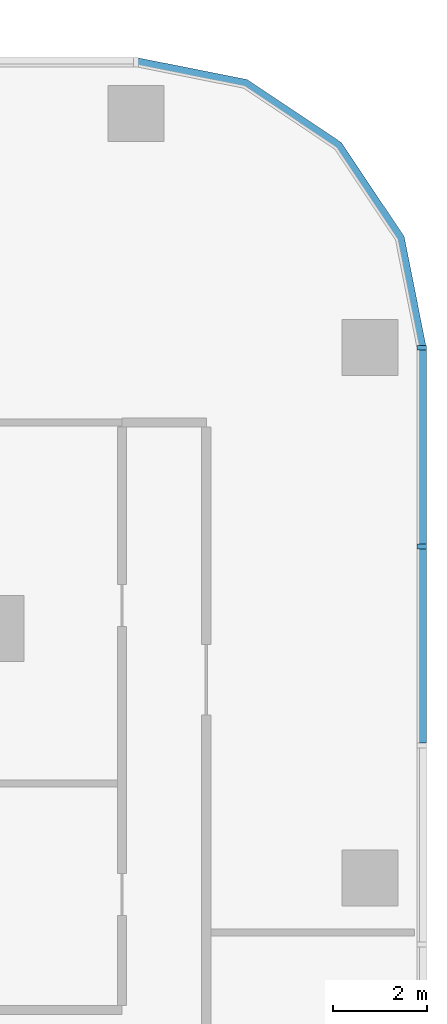
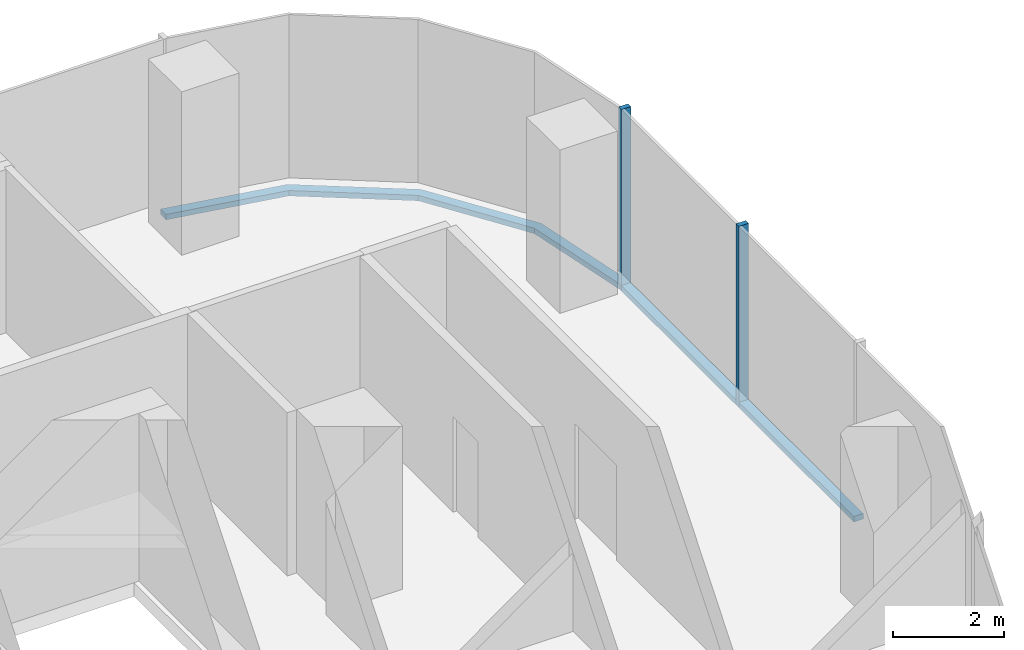
# One storey, part 5 of 14: 5 members, 2 elements without a shape of their own.
"""IFC4 building model written with IfcOpenShell, lengths in metres."""

from ifc_helpers import new_model, si_unit, direction, frame, origin, origin_2d, place, context, subcontext, project, spatial, polyline, rectangle, outline, extrude, material, material_profile, profile_set, type_object, element, aggregate, save


model = new_model("IFC4")

# Units and contexts
model_context = context("Model", 3, precision=1e-05, world=origin(), true_north=direction((0.0, 1.0)))
body_context = subcontext(model_context, "Body", "Model", "MODEL_VIEW")
ifc_project = project(units=[si_unit("LENGTHUNIT", "METRE"), si_unit("AREAUNIT", "SQUARE_METRE"), si_unit("VOLUMEUNIT", "CUBIC_METRE"), si_unit("PLANEANGLEUNIT", "RADIAN"), si_unit("MASSUNIT", "GRAM", prefix="KILO")], contexts=[model_context])

# Site, building, storey
site_placement = place(None, origin())
site = spatial("IfcSite", under=ifc_project, at=site_placement, CompositionType="ELEMENT")
building_placement = place(site_placement, origin())
building = spatial("IfcBuilding", under=site, at=building_placement, Name="Mopane Tessera Tower", CompositionType="ELEMENT")
storey_placement = place(building_placement, frame((0.0, 0.0, 185.0)))
storey = spatial("IfcBuildingStorey", under=building, at=storey_placement, Name="L38", CompositionType="ELEMENT", Elevation=185.0)

# Curtain wall, members
ifc_material_1 = material(Name="Aluminium frame", Category="aluminium")
curtain_wall_type = type_object("IfcCurtainWallType", Name="Unitised curtain wall", PredefinedType="NOTDEFINED", material=ifc_material_1)
curtain_wall_1_placement = place(storey_placement, origin())
curtain_wall_1 = element("IfcCurtainWall", 1, at=curtain_wall_1_placement, inside=storey, type_object=curtain_wall_type, Name="e:cw:L38:E:0", PredefinedType="NOTDEFINED")
ifc_material_2 = material(Name="Aluminium frame", Category="aluminium")
ifc_material_profile_1 = material_profile(ifc_material_2, rectangle(XDim=0.10009765625, YDim=0.199951171875, at=origin_2d()))
ifc_profile_set_1 = profile_set([ifc_material_profile_1], Name="Aluminium frame")
member_type_1 = type_object("IfcMemberType", Name="Aluminium mullion 100 x 200", PredefinedType="MULLION", material=ifc_profile_set_1)
member_1_placement = place(storey_placement, frame((26.300048828125, 12.75, -0.39990234375), z_axis=(0.0, 0.0, 1.0), x_axis=(0.0, 1.0, 0.0)))
member_1 = element("IfcMember", 2, at=member_1_placement, type_object=member_type_1, Name="e:cw:L38:E:0:mu7", PredefinedType="MULLION", context=body_context, shape_type="SweptSolid", body=[
    extrude(rectangle(XDim=0.10009765625, YDim=0.199951171875, at=origin_2d()), origin(), (0.0, 0.0, 1.0), 4.0),
])
member_2_placement = place(storey_placement, frame((26.300048828125, 17.0, -0.39990234375), z_axis=(0.0, 0.0, 1.0), x_axis=(0.0, 1.0, 0.0)))
member_2 = element("IfcMember", 3, at=member_2_placement, type_object=member_type_1, Name="e:cw:L38:E:0:mu8", PredefinedType="MULLION", context=body_context, shape_type="SweptSolid", body=[
    extrude(rectangle(XDim=0.10009765625, YDim=0.199951171875, at=origin_2d()), origin(), (0.0, 0.0, 1.0), 4.0),
])
ifc_material_3 = material(Name="Aluminium frame", Category="aluminium")
ifc_material_profile_2 = material_profile(ifc_material_3, rectangle(XDim=0.199951171875, YDim=0.1201171875, at=origin_2d()))
ifc_profile_set_2 = profile_set([ifc_material_profile_2], Name="Aluminium frame")
member_type_2 = type_object("IfcMemberType", Name="Aluminium transom 200 x 120", PredefinedType="USERDEFINED", material=ifc_profile_set_2)
member_3_placement = place(storey_placement, frame((26.300048828125, 8.550048828125, -0.340087890625), z_axis=(0.0, 1.0, 0.0), x_axis=(-1.0, 0.0, 0.0)))
member_3 = element("IfcMember", 4, at=member_3_placement, type_object=member_type_2, Name="e:cw:L38:E:0:tr6", ObjectType="TRANSOM", PredefinedType="USERDEFINED", context=body_context, shape_type="SweptSolid", body=[
    extrude(rectangle(XDim=0.199951171875, YDim=0.1201171875, at=origin_2d()), origin(), (0.0, 0.0, 1.0), 4.14990234375),
])
member_4_placement = place(storey_placement, frame((26.300048828125, 12.800048828125, -0.340087890625), z_axis=(0.0, 1.0, 0.0), x_axis=(-1.0, 0.0, 0.0)))
member_4 = element("IfcMember", 5, at=member_4_placement, type_object=member_type_2, Name="e:cw:L38:E:0:tr7", ObjectType="TRANSOM", PredefinedType="USERDEFINED", context=body_context, shape_type="SweptSolid", body=[
    extrude(rectangle(XDim=0.199951171875, YDim=0.1201171875, at=origin_2d()), origin(), (0.0, 0.0, 1.0), 4.14990234375),
])
aggregate(curtain_wall_1, [member_1, member_2, member_3, member_4])

# Curtain wall, member
curtain_wall_2_placement = place(storey_placement, origin())
curtain_wall_2 = element("IfcCurtainWall", 6, at=curtain_wall_2_placement, inside=storey, type_object=curtain_wall_type, Name="e:cw:L38:CE", PredefinedType="NOTDEFINED")
member_5_placement = place(storey_placement, frame((0.0, 0.0, -0.39990234375)))
member_5 = element("IfcMember", 7, at=member_5_placement, type_object=member_type_2, Name="e:cw:L38:CE:tr", ObjectType="TRANSOM", PredefinedType="USERDEFINED", context=body_context, shape_type="SweptSolid", body=[
    extrude(outline(polyline([(26.199951171875, 17.0), (25.7431640625, 19.296142578125), (24.442626953125, 21.24267578125), (22.49609375, 22.543212890625), (20.199951171875, 23.0), (20.199951171875, 23.199951171875), (22.57275390625, 22.72802734375), (24.583984375, 21.384033203125), (25.927978515625, 19.37255859375), (26.39990234375, 17.0), (26.199951171875, 17.0)])), origin(), (0.0, 0.0, 1.0), 0.119873046875),
])
aggregate(curtain_wall_2, [member_5])

save(model, "model.ifc")
